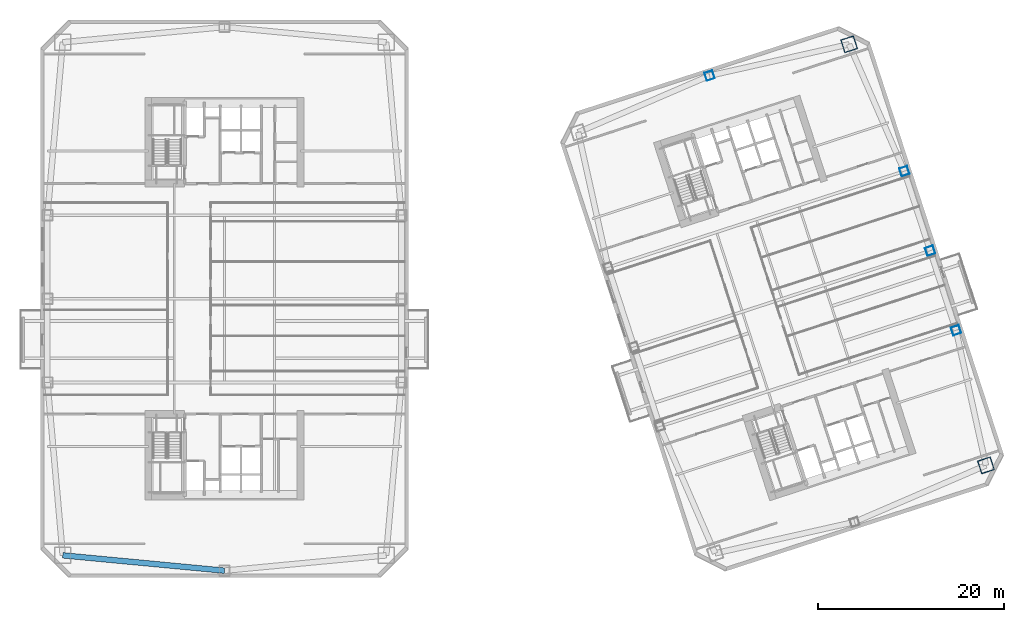
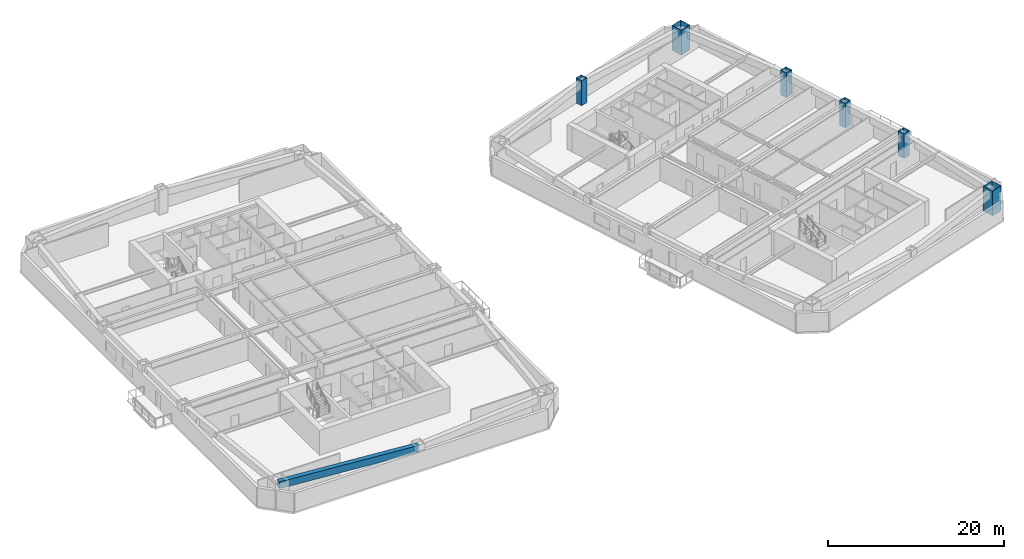
# One storey, part 2 of 15: 6 columns, 1 beam.
"""IFC4 building model written with IfcOpenShell, lengths in metres."""

from ifc_helpers import new_model, si_unit, direction, frame, origin, origin_2d, place, context, subcontext, project, spatial, rectangle, hollow_rectangle, extrude, material, material_profile, profile_set, type_object, element, save


model = new_model("IFC4")

# Units and contexts
model_context = context("Model", 3, precision=1e-05, world=origin(), true_north=direction((0.0, 1.0)))
body_context = subcontext(model_context, "Body", "Model", "MODEL_VIEW")
ifc_project = project(units=[si_unit("LENGTHUNIT", "METRE"), si_unit("AREAUNIT", "SQUARE_METRE"), si_unit("VOLUMEUNIT", "CUBIC_METRE"), si_unit("PLANEANGLEUNIT", "RADIAN"), si_unit("MASSUNIT", "GRAM", prefix="KILO")], contexts=[model_context])

# Site, building, storey
site_placement = place(None, origin())
site = spatial("IfcSite", under=ifc_project, at=site_placement, CompositionType="ELEMENT")
building_placement = place(site_placement, origin())
building = spatial("IfcBuilding", under=site, at=building_placement, Name="Qiaolan Cultural Towers", CompositionType="ELEMENT")
storey_placement = place(building_placement, frame((0.0, 0.0, 81.64990234375)))
storey = spatial("IfcBuildingStorey", under=building, at=storey_placement, Name="L20", CompositionType="ELEMENT", Elevation=81.64990234375)

# Columns
ifc_material_1 = material(Name="Steel Q420GJB", Category="steel")
ifc_material_profile_1 = material_profile(ifc_material_1, hollow_rectangle(XDim=1.449951171875, YDim=1.449951171875, WallThickness=0.050048828125, at=origin_2d()), Name="BOX1450x1450x50")
ifc_profile_set_1 = profile_set([ifc_material_profile_1], Name="Steel Q420GJB")
column_type_1 = type_object("IfcColumnType", Name="COL-BOX1450x1450x50", PredefinedType="COLUMN", material=ifc_profile_set_1)
for number, where, z_axis, x_axis, name in (
    (1, (111.930908203125, 16.080078125, 0.0), (0.0, 0.0, 1.0), (0.951056516295, 0.309016994375, 0.0), "L20 T2 Perimeter Column MC-SE"),
    (2, (97.20947265625, 61.388427734375, 0.0), (0.0, 0.0, 1.0), (0.951056516295, 0.309016994375, 0.0), "L20 T2 Perimeter Column MC-NE"),
):
    element("IfcColumn", number, at=place(storey_placement, frame(where, z_axis=z_axis, x_axis=x_axis)), inside=storey, type_object=column_type_1, Name=name, PredefinedType="COLUMN", context=body_context, shape_type="SweptSolid", body=[
        extrude(hollow_rectangle(XDim=1.449951171875, YDim=1.449951171875, WallThickness=0.050048828125, at=origin_2d()), origin(), (0.0, 0.0, 1.0), 3.451171875),
    ])
ifc_material_2 = material(Name="Steel Q355B", Category="steel")
ifc_material_profile_2 = material_profile(ifc_material_2, hollow_rectangle(XDim=0.89990234375, YDim=0.89990234375, WallThickness=0.031982421875, at=origin_2d()), Name="BOX900x900x32")
ifc_profile_set_2 = profile_set([ifc_material_profile_2], Name="Steel Q355B")
column_type_2 = type_object("IfcColumnType", Name="COL-BOX900x900x32", PredefinedType="COLUMN", material=ifc_profile_set_2)
for number, where, z_axis, x_axis, name in (
    (3, (108.71142578125, 30.616455078125, 0.0), (0.0, 0.0, 1.0), (0.951056516295, 0.309016994375, 0.0), "L20 T2 Perimeter Column PC-E1"),
    (4, (105.93017578125, 39.176025390625, 0.0), (0.0, 0.0, 1.0), (0.951056516295, 0.309016994375, 0.0), "L20 T2 Perimeter Column PC-E2"),
    (5, (103.14892578125, 47.735595703125, 0.0), (0.0, 0.0, 1.0), (0.951056516295, 0.309016994375, 0.0), "L20 T2 Perimeter Column PC-E3"),
    (6, (82.197265625, 58.01416015625, 0.0), (0.0, 0.0, 1.0), (0.951056516295, 0.309016994375, 0.0), "L20 T2 Perimeter Column PC-N0"),
):
    element("IfcColumn", number, at=place(storey_placement, frame(where, z_axis=z_axis, x_axis=x_axis)), inside=storey, type_object=column_type_2, Name=name, PredefinedType="COLUMN", context=body_context, shape_type="SweptSolid", body=[
        extrude(hollow_rectangle(XDim=0.89990234375, YDim=0.89990234375, WallThickness=0.031982421875, at=origin_2d()), origin(), (0.0, 0.0, 1.0), 3.451171875),
    ])

# Beam
ifc_material_3 = material(Name="Concrete C50", Category="concrete")
ifc_material_profile_3 = material_profile(ifc_material_3, rectangle(XDim=0.60009765625, YDim=0.949951171875, at=origin_2d()), Name="RC600x950")
ifc_profile_set_3 = profile_set([ifc_material_profile_3], Name="Concrete C50")
beam_type = type_object("IfcBeamType", Name="BM-SPD-RC600x950", PredefinedType="SPANDREL", material=ifc_profile_set_3)
beam_placement = place(storey_placement, frame((12.60009765625, 6.39990234375, 2.715087890625), z_axis=(0.995534437156, -0.094399070104, 0.0), x_axis=(0.094399070104, 0.995534437156, 0.0)))
element("IfcBeam", 7, at=beam_placement, inside=storey, type_object=beam_type, Name="L20 T1 Perimeter Spandrel Beam 1", PredefinedType="SPANDREL", context=body_context, shape_type="SweptSolid", body=[
    extrude(rectangle(XDim=0.60009765625, YDim=0.949951171875, at=origin_2d()), origin(), (0.0, 0.0, 1.0), 17.47802734375),
])

save(model, "model.ifc")
